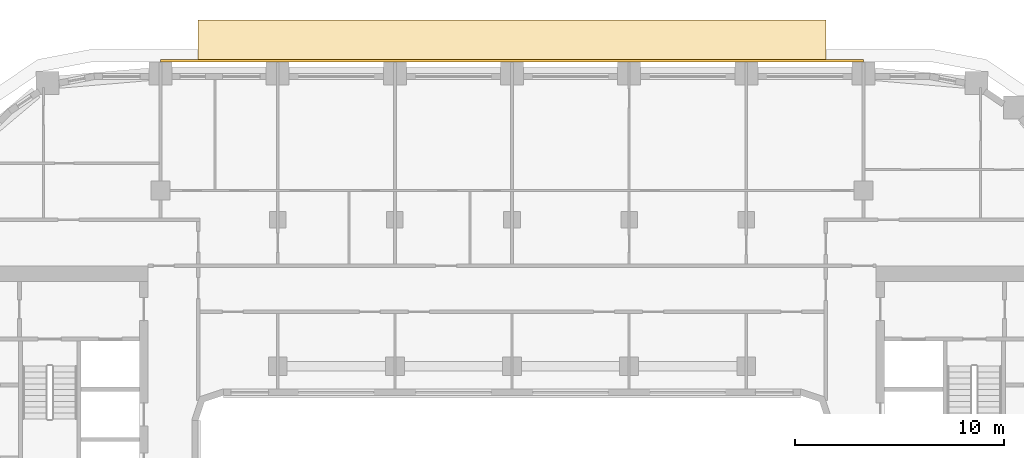
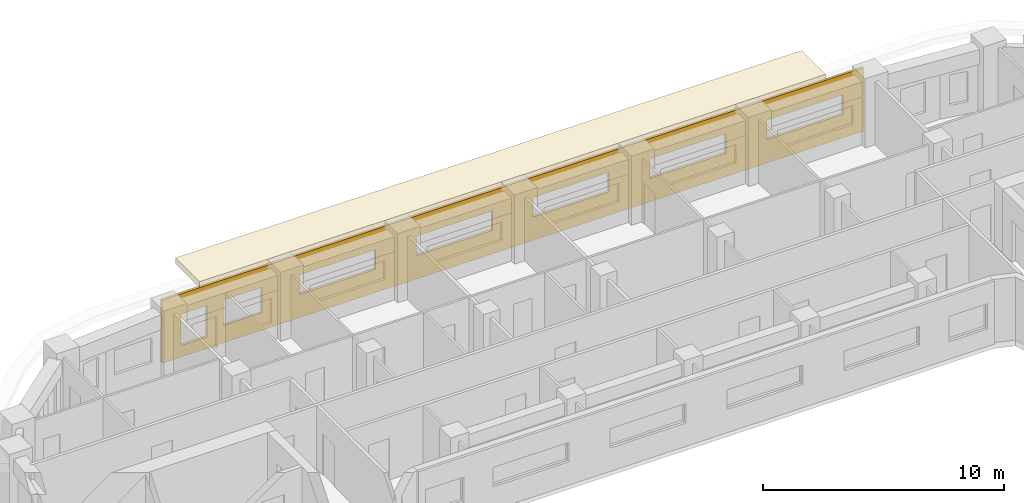
# One storey, part 21 of 22: 2 coverings.
"""IFC4 building model written with IfcOpenShell, lengths in metres."""

from ifc_helpers import new_model, si_unit, direction, frame, origin, place, context, subcontext, project, spatial, polyline, outline, extrude, material, layer, layer_set, type_object, element, save


model = new_model("IFC4")

# Units and contexts
model_context = context("Model", 3, precision=1e-05, world=origin(), true_north=direction((0.0, 1.0)))
body_context = subcontext(model_context, "Body", "Model", "MODEL_VIEW")
ifc_project = project(units=[si_unit("LENGTHUNIT", "METRE"), si_unit("AREAUNIT", "SQUARE_METRE"), si_unit("VOLUMEUNIT", "CUBIC_METRE"), si_unit("PLANEANGLEUNIT", "RADIAN"), si_unit("MASSUNIT", "GRAM", prefix="KILO")], contexts=[model_context])

# Site, building, storey
site_placement = place(None, origin())
site = spatial("IfcSite", under=ifc_project, at=site_placement, CompositionType="ELEMENT")
building_placement = place(site_placement, origin())
building = spatial("IfcBuilding", under=site, at=building_placement, Name="Kiln Ring Residences", CompositionType="ELEMENT")
storey_placement = place(building_placement, frame((0.0, 0.0, 146.60009765625)))
storey = spatial("IfcBuildingStorey", under=building, at=storey_placement, Name="L37", CompositionType="ELEMENT", Elevation=146.60009765625)

# Coverings
ifc_material_1 = material(Name="Brick masonry, dark clay brick", Category="masonry")
ifc_layer_1 = layer(ifc_material_1, 0.1201171875)
ifc_layer_set_1 = layer_set([ifc_layer_1], Name="RAINSCREEN PANEL 120")
covering_type_1 = type_object("IfcCoveringType", Name="RAINSCREEN PANEL 120", PredefinedType="CLADDING", material=ifc_layer_set_1)
covering_1_placement = place(storey_placement, frame((16.800048828125, 23.010009765625, 0.0), z_axis=(0.0, 0.0, 1.0), x_axis=(-1.0, 0.0, 0.0)))
element("IfcCovering", 1, at=covering_1_placement, inside=storey, type_object=covering_type_1, Name="RAINSCREEN L37", PredefinedType="CLADDING", context=body_context, shape_type="SweptSolid", body=[
    extrude(outline(polyline([(0.0, 0.0), (33.60009765625, 0.0), (33.60009765625, 3.199951171875), (0.0, 3.199951171875), (0.0, 0.0)]), holes=[polyline([(32.6826171875, 0.579833984375), (32.6826171875, 2.169921875), (31.4423828125, 2.169921875), (31.4423828125, 0.579833984375), (32.6826171875, 0.579833984375)]), polyline([(28.8173828125, 0.8798828125), (30.657470703125, 0.8798828125), (30.657470703125, 2.169921875), (28.8173828125, 2.169921875), (28.8173828125, 0.8798828125)]), polyline([(0.97998046875, 1.179931640625), (4.6201171875, 1.179931640625), (4.6201171875, 2.169921875), (0.97998046875, 2.169921875), (0.97998046875, 1.179931640625)]), polyline([(6.580078125, 1.179931640625), (10.219970703125, 1.179931640625), (10.219970703125, 2.169921875), (6.580078125, 2.169921875), (6.580078125, 1.179931640625)]), polyline([(12.179931640625, 1.179931640625), (15.820068359375, 1.179931640625), (15.820068359375, 2.169921875), (12.179931640625, 2.169921875), (12.179931640625, 1.179931640625)]), polyline([(17.780029296875, 1.179931640625), (21.419921875, 1.179931640625), (21.419921875, 2.169921875), (17.780029296875, 2.169921875), (17.780029296875, 1.179931640625)]), polyline([(23.3798828125, 1.179931640625), (27.02001953125, 1.179931640625), (27.02001953125, 2.169921875), (23.3798828125, 2.169921875), (23.3798828125, 1.179931640625)])]), frame((0.0, 0.06005859375, 0.0), z_axis=(0.0, -1.0, 0.0), x_axis=(1.0, 0.0, 0.0)), (0.0, 0.0, 1.0), 0.1201171875),
])
ifc_material_2 = material(Name="Black powder-coated steel", Category="steel")
ifc_layer_2 = layer(ifc_material_2, 0.300048828125)
ifc_layer_set_2 = layer_set([ifc_layer_2], Name="SUNSHADE BAND 2000")
covering_type_2 = type_object("IfcCoveringType", Name="SUNSHADE BAND 2000", PredefinedType="CLADDING", material=ifc_layer_set_2)
covering_2_placement = place(storey_placement, frame((0.0, 0.0, 3.199951171875)))
element("IfcCovering", 2, at=covering_2_placement, inside=storey, type_object=covering_type_2, Name="SUNSHADE BAND L37", PredefinedType="CLADDING", context=body_context, shape_type="SweptSolid", body=[
    extrude(outline(polyline([(15.0, 24.949951171875), (-15.0, 24.949951171875), (-15.0, 22.949951171875), (15.0, 22.949951171875), (15.0, 24.949951171875)])), origin(), (0.0, 0.0, 1.0), 0.300048828125),
])

save(model, "model.ifc")
